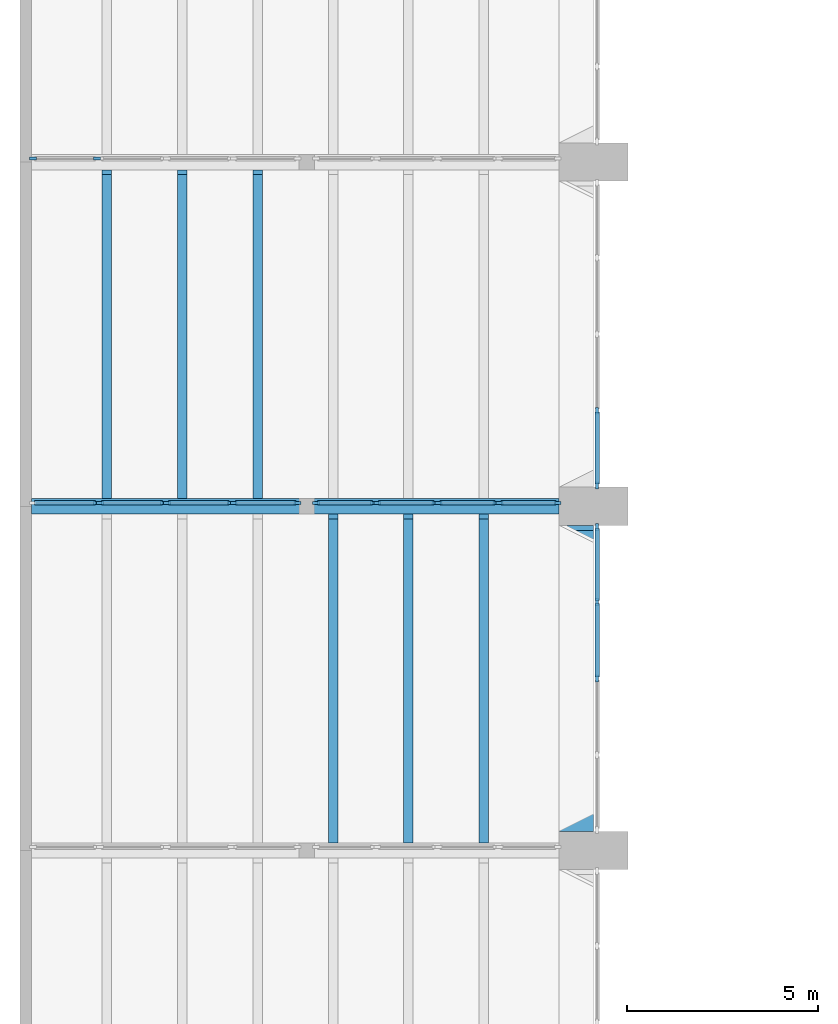
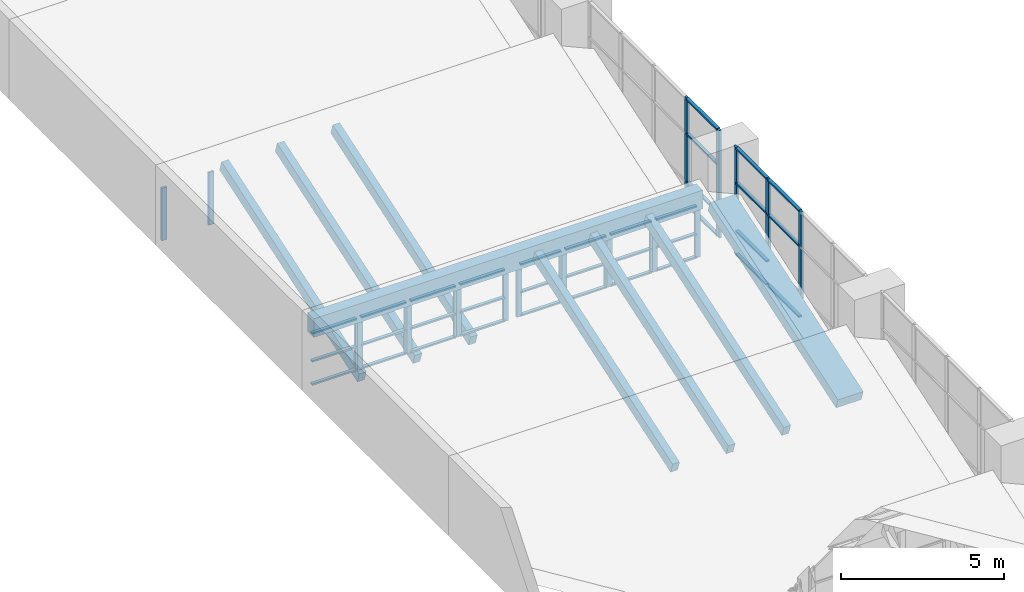
# One storey, part 9 of 43: 58 members, 8 beams, 11 elements without a shape of their own.
"""IFC4 building model written with IfcOpenShell, lengths in metres."""

from ifc_helpers import new_model, si_unit, direction, frame, origin, origin_2d, place, context, subcontext, project, spatial, rectangle, extrude, material, material_profile, profile_set, type_object, element, aggregate, save


model = new_model("IFC4")

# Units and contexts
model_context = context("Model", 3, precision=1e-05, world=origin(), true_north=direction((0.0, 1.0)))
body_context = subcontext(model_context, "Body", "Model", "MODEL_VIEW")
ifc_project = project(units=[si_unit("LENGTHUNIT", "METRE"), si_unit("AREAUNIT", "SQUARE_METRE"), si_unit("VOLUMEUNIT", "CUBIC_METRE"), si_unit("PLANEANGLEUNIT", "RADIAN"), si_unit("MASSUNIT", "GRAM", prefix="KILO")], contexts=[model_context])

# Site, building, storey
site_placement = place(None, origin())
site = spatial("IfcSite", under=ifc_project, at=site_placement, CompositionType="ELEMENT")
building_placement = place(site_placement, origin())
building = spatial("IfcBuilding", under=site, at=building_placement, Name="Elmora Arch Market Hall", CompositionType="ELEMENT")
storey_placement = place(building_placement, frame((0.0, 0.0, 10.199951171875)))
storey = spatial("IfcBuildingStorey", under=building, at=storey_placement, Name="L02", CompositionType="ELEMENT", Elevation=10.199951171875)

# Curtain wall, members
ifc_material_1 = material(Name="Aluminium", Category="aluminium")
curtain_wall_type_1 = type_object("IfcCurtainWallType", Name="Hall front curtain wall", PredefinedType="NOTDEFINED", material=ifc_material_1)
curtain_wall_1_placement = place(storey_placement, origin())
curtain_wall_1 = element("IfcCurtainWall", 1, at=curtain_wall_1_placement, inside=storey, type_object=curtain_wall_type_1, Name="Hall west glazing L02 4", PredefinedType="NOTDEFINED")
ifc_material_2 = material(Name="Aluminium", Category="aluminium")
ifc_material_profile_1 = material_profile(ifc_material_2, rectangle(XDim=0.080078125, YDim=0.179931640625, at=origin_2d()), Name="AL 80x180")
ifc_profile_set_1 = profile_set([ifc_material_profile_1], Name="Aluminium")
member_type_1 = type_object("IfcMemberType", Name="Mullion 80x180", PredefinedType="MULLION", material=ifc_profile_set_1)
member_1_placement = place(storey_placement, frame((15.090087890625, 58.5, 0.166748046875), z_axis=(0.0, 0.0, 1.0), x_axis=(-1.0, 0.0, 0.0)))
member_1 = element("IfcMember", 2, at=member_1_placement, type_object=member_type_1, Name="CW2 mullion 3", PredefinedType="MULLION", context=body_context, shape_type="SweptSolid", body=[
    extrude(rectangle(XDim=0.080078125, YDim=0.179931640625, at=origin_2d()), origin(), (0.0, 0.0, 1.0), 4.033203125),
])
member_2_placement = place(storey_placement, frame((15.090087890625, 60.5, 0.166748046875), z_axis=(0.0, 0.0, 1.0), x_axis=(-1.0, 0.0, 0.0)))
member_2 = element("IfcMember", 3, at=member_2_placement, type_object=member_type_1, Name="CW2 mullion 4", PredefinedType="MULLION", context=body_context, shape_type="SweptSolid", body=[
    extrude(rectangle(XDim=0.080078125, YDim=0.179931640625, at=origin_2d()), origin(), (0.0, 0.0, 1.0), 4.033203125),
])
member_3_placement = place(storey_placement, frame((15.090087890625, 62.4599609375, 0.166748046875), z_axis=(0.0, 0.0, 1.0), x_axis=(-1.0, 0.0, 0.0)))
member_3 = element("IfcMember", 4, at=member_3_placement, type_object=member_type_1, Name="CW2 mullion 5", PredefinedType="MULLION", context=body_context, shape_type="SweptSolid", body=[
    extrude(rectangle(XDim=0.080078125, YDim=0.179931640625, at=origin_2d()), origin(), (0.0, 0.0, 1.0), 4.033203125),
])

curtain_wall_2_placement = place(storey_placement, origin())
curtain_wall_2 = element("IfcCurtainWall", 5, at=curtain_wall_2_placement, inside=storey, type_object=curtain_wall_type_1, Name="Hall west glazing L02 5", PredefinedType="NOTDEFINED")
member_4_placement = place(storey_placement, frame((15.090087890625, 63.5400390625, 0.166748046875), z_axis=(0.0, 0.0, 1.0), x_axis=(-1.0, 0.0, 0.0)))
member_4 = element("IfcMember", 6, at=member_4_placement, type_object=member_type_1, Name="CW2 mullion 1", PredefinedType="MULLION", context=body_context, shape_type="SweptSolid", body=[
    extrude(rectangle(XDim=0.080078125, YDim=0.179931640625, at=origin_2d()), origin(), (0.0, 0.0, 1.0), 4.033203125),
])
member_5_placement = place(storey_placement, frame((15.090087890625, 65.5, 0.166748046875), z_axis=(0.0, 0.0, 1.0), x_axis=(-1.0, 0.0, 0.0)))
member_5 = element("IfcMember", 7, at=member_5_placement, type_object=member_type_1, Name="CW2 mullion 2", PredefinedType="MULLION", context=body_context, shape_type="SweptSolid", body=[
    extrude(rectangle(XDim=0.080078125, YDim=0.179931640625, at=origin_2d()), origin(), (0.0, 0.0, 1.0), 4.033203125),
])

# Curtain wall, member
ifc_material_3 = material(Name="Aluminium", Category="aluminium")
curtain_wall_type_2 = type_object("IfcCurtainWallType", Name="Sawtooth glazing curtain wall", PredefinedType="NOTDEFINED", material=ifc_material_3)
curtain_wall_3_placement = place(storey_placement, origin())
curtain_wall_3 = element("IfcCurtainWall", 8, at=curtain_wall_3_placement, inside=storey, type_object=curtain_wall_type_2, Name="Sawtooth riser 4 part 1.1", PredefinedType="NOTDEFINED")
member_6_placement = place(storey_placement, frame((2.010009765625, 63.090087890625, 0.030029296875), z_axis=(0.0, 0.0, 1.0), x_axis=(0.0, 1.0, 0.0)))
member_6 = element("IfcMember", 9, at=member_6_placement, type_object=member_type_1, Name="CW7 mullion 2", PredefinedType="MULLION", context=body_context, shape_type="SweptSolid", body=[
    extrude(rectangle(XDim=0.080078125, YDim=0.179931640625, at=origin_2d()), origin(), (0.0, 0.0, 1.0), 1.969970703125),
])

# Curtain wall, members
curtain_wall_4_placement = place(storey_placement, origin())
curtain_wall_4 = element("IfcCurtainWall", 10, at=curtain_wall_4_placement, inside=storey, type_object=curtain_wall_type_2, Name="Sawtooth riser 4 part 1.2", PredefinedType="NOTDEFINED")
member_7_placement = place(storey_placement, frame((2.090087890625, 63.090087890625, 0.030029296875), z_axis=(0.0, 0.0, 1.0), x_axis=(0.0, 1.0, 0.0)))
member_7 = element("IfcMember", 11, at=member_7_placement, type_object=member_type_1, Name="CW7 mullion 1", PredefinedType="MULLION", context=body_context, shape_type="SweptSolid", body=[
    extrude(rectangle(XDim=0.080078125, YDim=0.179931640625, at=origin_2d()), origin(), (0.0, 0.0, 1.0), 1.969970703125),
])
member_8_placement = place(storey_placement, frame((3.760009765625, 63.090087890625, 0.030029296875), z_axis=(0.0, 0.0, 1.0), x_axis=(0.0, 1.0, 0.0)))
member_8 = element("IfcMember", 12, at=member_8_placement, type_object=member_type_1, Name="CW7 mullion 2", PredefinedType="MULLION", context=body_context, shape_type="SweptSolid", body=[
    extrude(rectangle(XDim=0.080078125, YDim=0.179931640625, at=origin_2d()), origin(), (0.0, 0.0, 1.0), 1.969970703125),
])

curtain_wall_5_placement = place(storey_placement, origin())
curtain_wall_5 = element("IfcCurtainWall", 13, at=curtain_wall_5_placement, inside=storey, type_object=curtain_wall_type_2, Name="Sawtooth riser 4 part 1.3", PredefinedType="NOTDEFINED")
member_9_placement = place(storey_placement, frame((3.840087890625, 63.090087890625, 0.030029296875), z_axis=(0.0, 0.0, 1.0), x_axis=(0.0, 1.0, 0.0)))
member_9 = element("IfcMember", 14, at=member_9_placement, type_object=member_type_1, Name="CW7 mullion 1", PredefinedType="MULLION", context=body_context, shape_type="SweptSolid", body=[
    extrude(rectangle(XDim=0.080078125, YDim=0.179931640625, at=origin_2d()), origin(), (0.0, 0.0, 1.0), 1.969970703125),
])
member_10_placement = place(storey_placement, frame((5.510009765625, 63.090087890625, 0.030029296875), z_axis=(0.0, 0.0, 1.0), x_axis=(0.0, 1.0, 0.0)))
member_10 = element("IfcMember", 15, at=member_10_placement, type_object=member_type_1, Name="CW7 mullion 2", PredefinedType="MULLION", context=body_context, shape_type="SweptSolid", body=[
    extrude(rectangle(XDim=0.080078125, YDim=0.179931640625, at=origin_2d()), origin(), (0.0, 0.0, 1.0), 1.969970703125),
])

curtain_wall_6_placement = place(storey_placement, origin())
curtain_wall_6 = element("IfcCurtainWall", 16, at=curtain_wall_6_placement, inside=storey, type_object=curtain_wall_type_2, Name="Sawtooth riser 4 part 1.4", PredefinedType="NOTDEFINED")
member_11_placement = place(storey_placement, frame((5.590087890625, 63.090087890625, 0.030029296875), z_axis=(0.0, 0.0, 1.0), x_axis=(0.0, 1.0, 0.0)))
member_11 = element("IfcMember", 17, at=member_11_placement, type_object=member_type_1, Name="CW7 mullion 1", PredefinedType="MULLION", context=body_context, shape_type="SweptSolid", body=[
    extrude(rectangle(XDim=0.080078125, YDim=0.179931640625, at=origin_2d()), origin(), (0.0, 0.0, 1.0), 1.969970703125),
])
member_12_placement = place(storey_placement, frame((7.260009765625, 63.090087890625, 0.030029296875), z_axis=(0.0, 0.0, 1.0), x_axis=(0.0, 1.0, 0.0)))
member_12 = element("IfcMember", 18, at=member_12_placement, type_object=member_type_1, Name="CW7 mullion 2", PredefinedType="MULLION", context=body_context, shape_type="SweptSolid", body=[
    extrude(rectangle(XDim=0.080078125, YDim=0.179931640625, at=origin_2d()), origin(), (0.0, 0.0, 1.0), 1.969970703125),
])

curtain_wall_7_placement = place(storey_placement, origin())
curtain_wall_7 = element("IfcCurtainWall", 19, at=curtain_wall_7_placement, inside=storey, type_object=curtain_wall_type_2, Name="Sawtooth riser 4 part 2.1", PredefinedType="NOTDEFINED")
member_13_placement = place(storey_placement, frame((7.739990234375, 63.090087890625, 0.030029296875), z_axis=(0.0, 0.0, 1.0), x_axis=(0.0, 1.0, 0.0)))
member_13 = element("IfcMember", 20, at=member_13_placement, type_object=member_type_1, Name="CW7 mullion 1", PredefinedType="MULLION", context=body_context, shape_type="SweptSolid", body=[
    extrude(rectangle(XDim=0.080078125, YDim=0.179931640625, at=origin_2d()), origin(), (0.0, 0.0, 1.0), 1.969970703125),
])
member_14_placement = place(storey_placement, frame((9.260009765625, 63.090087890625, 0.030029296875), z_axis=(0.0, 0.0, 1.0), x_axis=(0.0, 1.0, 0.0)))
member_14 = element("IfcMember", 21, at=member_14_placement, type_object=member_type_1, Name="CW7 mullion 2", PredefinedType="MULLION", context=body_context, shape_type="SweptSolid", body=[
    extrude(rectangle(XDim=0.080078125, YDim=0.179931640625, at=origin_2d()), origin(), (0.0, 0.0, 1.0), 1.969970703125),
])

curtain_wall_8_placement = place(storey_placement, origin())
curtain_wall_8 = element("IfcCurtainWall", 22, at=curtain_wall_8_placement, inside=storey, type_object=curtain_wall_type_2, Name="Sawtooth riser 4 part 2.2", PredefinedType="NOTDEFINED")
member_15_placement = place(storey_placement, frame((9.340087890625, 63.090087890625, 0.030029296875), z_axis=(0.0, 0.0, 1.0), x_axis=(0.0, 1.0, 0.0)))
member_15 = element("IfcMember", 23, at=member_15_placement, type_object=member_type_1, Name="CW7 mullion 1", PredefinedType="MULLION", context=body_context, shape_type="SweptSolid", body=[
    extrude(rectangle(XDim=0.080078125, YDim=0.179931640625, at=origin_2d()), origin(), (0.0, 0.0, 1.0), 1.969970703125),
])
member_16_placement = place(storey_placement, frame((10.860107421875, 63.090087890625, 0.030029296875), z_axis=(0.0, 0.0, 1.0), x_axis=(0.0, 1.0, 0.0)))
member_16 = element("IfcMember", 24, at=member_16_placement, type_object=member_type_1, Name="CW7 mullion 2", PredefinedType="MULLION", context=body_context, shape_type="SweptSolid", body=[
    extrude(rectangle(XDim=0.080078125, YDim=0.179931640625, at=origin_2d()), origin(), (0.0, 0.0, 1.0), 1.969970703125),
])

curtain_wall_9_placement = place(storey_placement, origin())
curtain_wall_9 = element("IfcCurtainWall", 25, at=curtain_wall_9_placement, inside=storey, type_object=curtain_wall_type_2, Name="Sawtooth riser 4 part 2.3", PredefinedType="NOTDEFINED")
member_17_placement = place(storey_placement, frame((10.93994140625, 63.090087890625, 0.030029296875), z_axis=(0.0, 0.0, 1.0), x_axis=(0.0, 1.0, 0.0)))
member_17 = element("IfcMember", 26, at=member_17_placement, type_object=member_type_1, Name="CW7 mullion 1", PredefinedType="MULLION", context=body_context, shape_type="SweptSolid", body=[
    extrude(rectangle(XDim=0.080078125, YDim=0.179931640625, at=origin_2d()), origin(), (0.0, 0.0, 1.0), 1.969970703125),
])
member_18_placement = place(storey_placement, frame((12.4599609375, 63.090087890625, 0.030029296875), z_axis=(0.0, 0.0, 1.0), x_axis=(0.0, 1.0, 0.0)))
member_18 = element("IfcMember", 27, at=member_18_placement, type_object=member_type_1, Name="CW7 mullion 2", PredefinedType="MULLION", context=body_context, shape_type="SweptSolid", body=[
    extrude(rectangle(XDim=0.080078125, YDim=0.179931640625, at=origin_2d()), origin(), (0.0, 0.0, 1.0), 1.969970703125),
])

curtain_wall_10_placement = place(storey_placement, origin())
curtain_wall_10 = element("IfcCurtainWall", 28, at=curtain_wall_10_placement, inside=storey, type_object=curtain_wall_type_2, Name="Sawtooth riser 4 part 2.4", PredefinedType="NOTDEFINED")
member_19_placement = place(storey_placement, frame((12.5400390625, 63.090087890625, 0.030029296875), z_axis=(0.0, 0.0, 1.0), x_axis=(0.0, 1.0, 0.0)))
member_19 = element("IfcMember", 29, at=member_19_placement, type_object=member_type_1, Name="CW7 mullion 1", PredefinedType="MULLION", context=body_context, shape_type="SweptSolid", body=[
    extrude(rectangle(XDim=0.080078125, YDim=0.179931640625, at=origin_2d()), origin(), (0.0, 0.0, 1.0), 1.969970703125),
])
member_20_placement = place(storey_placement, frame((14.06005859375, 63.090087890625, 0.030029296875), z_axis=(0.0, 0.0, 1.0), x_axis=(0.0, 1.0, 0.0)))
member_20 = element("IfcMember", 30, at=member_20_placement, type_object=member_type_1, Name="CW7 mullion 2", PredefinedType="MULLION", context=body_context, shape_type="SweptSolid", body=[
    extrude(rectangle(XDim=0.080078125, YDim=0.179931640625, at=origin_2d()), origin(), (0.0, 0.0, 1.0), 1.969970703125),
])

curtain_wall_11_placement = place(storey_placement, origin())
curtain_wall_11 = element("IfcCurtainWall", 31, at=curtain_wall_11_placement, inside=storey, type_object=curtain_wall_type_2, Name="Sawtooth riser 5 part 1.1", PredefinedType="NOTDEFINED")
member_21_placement = place(storey_placement, frame((0.340087890625, 72.090087890625, 0.030029296875), z_axis=(0.0, 0.0, 1.0), x_axis=(0.0, 1.0, 0.0)))
member_21 = element("IfcMember", 32, at=member_21_placement, type_object=member_type_1, Name="CW7 mullion 1", PredefinedType="MULLION", context=body_context, shape_type="SweptSolid", body=[
    extrude(rectangle(XDim=0.080078125, YDim=0.179931640625, at=origin_2d()), origin(), (0.0, 0.0, 1.0), 1.969970703125),
])
member_22_placement = place(storey_placement, frame((2.010009765625, 72.090087890625, 0.030029296875), z_axis=(0.0, 0.0, 1.0), x_axis=(0.0, 1.0, 0.0)))
member_22 = element("IfcMember", 33, at=member_22_placement, type_object=member_type_1, Name="CW7 mullion 2", PredefinedType="MULLION", context=body_context, shape_type="SweptSolid", body=[
    extrude(rectangle(XDim=0.080078125, YDim=0.179931640625, at=origin_2d()), origin(), (0.0, 0.0, 1.0), 1.969970703125),
])
aggregate(curtain_wall_11, [member_21, member_22])

# Beams
ifc_material_4 = material(Name="Concrete C32/40", Category="concrete")
ifc_material_profile_2 = material_profile(ifc_material_4, rectangle(XDim=0.39990234375, YDim=0.699951171875, at=origin_2d()), Name="Ridge beam 400x700")
ifc_profile_set_2 = profile_set([ifc_material_profile_2], Name="Concrete C32/40")
beam_type_1 = type_object("IfcBeamType", Name="Ridge beam 400x700", PredefinedType="BEAM", material=ifc_profile_set_2)
beam_1_placement = place(storey_placement, frame((0.300048828125, 63.0, 2.35009765625), z_axis=(1.0, 0.0, 0.0), x_axis=(0.0, 1.0, 0.0)))
element("IfcBeam", 34, at=beam_1_placement, inside=storey, type_object=beam_type_1, Name="Ridge beam RB4 L02.1", PredefinedType="BEAM", context=body_context, shape_type="SweptSolid", body=[
    extrude(rectangle(XDim=0.39990234375, YDim=0.699951171875, at=origin_2d()), origin(), (0.0, 0.0, 1.0), 13.800048828125),
])
ifc_material_5 = material(Name="Concrete C32/40", Category="concrete")
ifc_material_profile_3 = material_profile(ifc_material_5, rectangle(XDim=0.89990234375, YDim=0.39990234375, at=origin_2d()), Name="Sawtooth edge beam 900x400")
ifc_profile_set_3 = profile_set([ifc_material_profile_3], Name="Concrete C32/40")
beam_type_2 = type_object("IfcBeamType", Name="Sawtooth edge beam 900x400", PredefinedType="BEAM", material=ifc_profile_set_3)
beam_2_placement = place(storey_placement, frame((14.550048828125, 54.563232421875, -0.322998046875), z_axis=(0.0, 0.948683298051, 0.316227766017), x_axis=(-1.0, 0.0, 0.0)))
element("IfcBeam", 35, at=beam_2_placement, inside=storey, type_object=beam_type_2, Name="Sawtooth edge beam 4", PredefinedType="BEAM", context=body_context, shape_type="SweptSolid", body=[
    extrude(rectangle(XDim=0.89990234375, YDim=0.39990234375, at=origin_2d()), origin(), (0.0, 0.0, 1.0), 8.29931640625),
])
ifc_material_6 = material(Name="Concrete C32/40", Category="concrete")
ifc_material_profile_4 = material_profile(ifc_material_6, rectangle(XDim=0.25, YDim=0.39990234375, at=origin_2d()), Name="Sawtooth rafter 250x400")
ifc_profile_set_4 = profile_set([ifc_material_profile_4], Name="Concrete C32/40")
beam_type_3 = type_object("IfcBeamType", Name="Sawtooth rafter 250x400", PredefinedType="BEAM", material=ifc_profile_set_4)
for number, where, z_axis, x_axis, name in (
    (36, (8.185791015625, 54.26318359375, -0.443115234375), (0.0, 0.94868603135, 0.316219565999), (-1.0, 0.0, 0.0), "Sawtooth rafter 4.4"),
    (37, (10.156982421875, 54.26318359375, -0.443115234375), (0.0, 0.94868603135, 0.316219565999), (-1.0, 0.0, 0.0), "Sawtooth rafter 4.5"),
    (38, (12.128662109375, 54.26318359375, -0.443115234375), (0.0, 0.94868603135, 0.316219565999), (-1.0, 0.0, 0.0), "Sawtooth rafter 4.6"),
    (39, (2.271484375, 63.26318359375, -0.443115234375), (0.0, 0.94868603135, 0.316219565999), (-1.0, 0.0, 0.0), "Sawtooth rafter 5.1"),
    (40, (4.242919921875, 63.26318359375, -0.443115234375), (0.0, 0.94868603135, 0.316219565999), (-1.0, 0.0, 0.0), "Sawtooth rafter 5.2"),
    (41, (6.21435546875, 63.26318359375, -0.443115234375), (0.0, 0.94868603135, 0.316219565999), (-1.0, 0.0, 0.0), "Sawtooth rafter 5.3"),
):
    element("IfcBeam", number, at=place(storey_placement, frame(where, z_axis=z_axis, x_axis=x_axis)), inside=storey, type_object=beam_type_3, Name=name, PredefinedType="BEAM", context=body_context, shape_type="SweptSolid", body=[
        extrude(rectangle(XDim=0.25, YDim=0.39990234375, at=origin_2d()), origin(), (0.0, 0.0, 1.0), 8.931884765625),
    ])

# Member
ifc_material_7 = material(Name="Aluminium", Category="aluminium")
ifc_material_profile_5 = material_profile(ifc_material_7, rectangle(XDim=0.1201171875, YDim=0.06005859375, at=origin_2d()), Name="AL 120x60")
ifc_profile_set_5 = profile_set([ifc_material_profile_5], Name="Aluminium")
member_type_2 = type_object("IfcMemberType", Name="Transom 120x60", PredefinedType="USERDEFINED", material=ifc_profile_set_5)
member_23_placement = place(storey_placement, frame((15.090087890625, 58.5400390625, 0.19677734375), z_axis=(0.0, 1.0, 0.0), x_axis=(-1.0, 0.0, 0.0)))
member_23 = element("IfcMember", 42, at=member_23_placement, type_object=member_type_2, Name="CW2 transom 3.1", ObjectType="TRANSOM", PredefinedType="USERDEFINED", context=body_context, shape_type="SweptSolid", body=[
    extrude(rectangle(XDim=0.1201171875, YDim=0.06005859375, at=origin_2d()), origin(), (0.0, 0.0, 1.0), 1.919921875),
])

member_24_placement = place(storey_placement, frame((15.090087890625, 58.5400390625, 1.066650390625), z_axis=(0.0, 1.0, 0.0), x_axis=(-1.0, 0.0, 0.0)))
member_24 = element("IfcMember", 43, at=member_24_placement, type_object=member_type_2, Name="CW2 transom 3.2", ObjectType="TRANSOM", PredefinedType="USERDEFINED", context=body_context, shape_type="SweptSolid", body=[
    extrude(rectangle(XDim=0.1201171875, YDim=0.06005859375, at=origin_2d()), origin(), (0.0, 0.0, 1.0), 1.919921875),
])

member_25_placement = place(storey_placement, frame((15.090087890625, 58.5400390625, 2.86669921875), z_axis=(0.0, 1.0, 0.0), x_axis=(-1.0, 0.0, 0.0)))
member_25 = element("IfcMember", 44, at=member_25_placement, type_object=member_type_2, Name="CW2 transom 3.3", ObjectType="TRANSOM", PredefinedType="USERDEFINED", context=body_context, shape_type="SweptSolid", body=[
    extrude(rectangle(XDim=0.1201171875, YDim=0.06005859375, at=origin_2d()), origin(), (0.0, 0.0, 1.0), 1.919921875),
])

member_26_placement = place(storey_placement, frame((15.090087890625, 58.5400390625, 4.170166015625), z_axis=(0.0, 1.0, 0.0), x_axis=(-1.0, 0.0, 0.0)))
member_26 = element("IfcMember", 45, at=member_26_placement, type_object=member_type_2, Name="CW2 transom 3.4", ObjectType="TRANSOM", PredefinedType="USERDEFINED", context=body_context, shape_type="SweptSolid", body=[
    extrude(rectangle(XDim=0.1201171875, YDim=0.06005859375, at=origin_2d()), origin(), (0.0, 0.0, 1.0), 1.919921875),
])

member_27_placement = place(storey_placement, frame((15.090087890625, 60.5400390625, 0.19677734375), z_axis=(0.0, 1.0, 0.0), x_axis=(-1.0, 0.0, 0.0)))
member_27 = element("IfcMember", 46, at=member_27_placement, type_object=member_type_2, Name="CW2 transom 4.1", ObjectType="TRANSOM", PredefinedType="USERDEFINED", context=body_context, shape_type="SweptSolid", body=[
    extrude(rectangle(XDim=0.1201171875, YDim=0.06005859375, at=origin_2d()), origin(), (0.0, 0.0, 1.0), 1.8798828125),
])

member_28_placement = place(storey_placement, frame((15.090087890625, 60.5400390625, 1.066650390625), z_axis=(0.0, 1.0, 0.0), x_axis=(-1.0, 0.0, 0.0)))
member_28 = element("IfcMember", 47, at=member_28_placement, type_object=member_type_2, Name="CW2 transom 4.2", ObjectType="TRANSOM", PredefinedType="USERDEFINED", context=body_context, shape_type="SweptSolid", body=[
    extrude(rectangle(XDim=0.1201171875, YDim=0.06005859375, at=origin_2d()), origin(), (0.0, 0.0, 1.0), 1.8798828125),
])

member_29_placement = place(storey_placement, frame((15.090087890625, 60.5400390625, 2.86669921875), z_axis=(0.0, 1.0, 0.0), x_axis=(-1.0, 0.0, 0.0)))
member_29 = element("IfcMember", 48, at=member_29_placement, type_object=member_type_2, Name="CW2 transom 4.3", ObjectType="TRANSOM", PredefinedType="USERDEFINED", context=body_context, shape_type="SweptSolid", body=[
    extrude(rectangle(XDim=0.1201171875, YDim=0.06005859375, at=origin_2d()), origin(), (0.0, 0.0, 1.0), 1.8798828125),
])

member_30_placement = place(storey_placement, frame((15.090087890625, 60.5400390625, 4.170166015625), z_axis=(0.0, 1.0, 0.0), x_axis=(-1.0, 0.0, 0.0)))
member_30 = element("IfcMember", 49, at=member_30_placement, type_object=member_type_2, Name="CW2 transom 4.4", ObjectType="TRANSOM", PredefinedType="USERDEFINED", context=body_context, shape_type="SweptSolid", body=[
    extrude(rectangle(XDim=0.1201171875, YDim=0.06005859375, at=origin_2d()), origin(), (0.0, 0.0, 1.0), 1.8798828125),
])

aggregate(curtain_wall_1, [member_1, member_2, member_3, member_23, member_24, member_25, member_26, member_27, member_28, member_29, member_30])

member_31_placement = place(storey_placement, frame((15.090087890625, 63.580078125, 0.19677734375), z_axis=(0.0, 1.0, 0.0), x_axis=(-1.0, 0.0, 0.0)))
member_31 = element("IfcMember", 50, at=member_31_placement, type_object=member_type_2, Name="CW2 transom 1.1", ObjectType="TRANSOM", PredefinedType="USERDEFINED", context=body_context, shape_type="SweptSolid", body=[
    extrude(rectangle(XDim=0.1201171875, YDim=0.06005859375, at=origin_2d()), origin(), (0.0, 0.0, 1.0), 1.8798828125),
])

member_32_placement = place(storey_placement, frame((15.090087890625, 63.580078125, 1.066650390625), z_axis=(0.0, 1.0, 0.0), x_axis=(-1.0, 0.0, 0.0)))
member_32 = element("IfcMember", 51, at=member_32_placement, type_object=member_type_2, Name="CW2 transom 1.2", ObjectType="TRANSOM", PredefinedType="USERDEFINED", context=body_context, shape_type="SweptSolid", body=[
    extrude(rectangle(XDim=0.1201171875, YDim=0.06005859375, at=origin_2d()), origin(), (0.0, 0.0, 1.0), 1.8798828125),
])

member_33_placement = place(storey_placement, frame((15.090087890625, 63.580078125, 2.86669921875), z_axis=(0.0, 1.0, 0.0), x_axis=(-1.0, 0.0, 0.0)))
member_33 = element("IfcMember", 52, at=member_33_placement, type_object=member_type_2, Name="CW2 transom 1.3", ObjectType="TRANSOM", PredefinedType="USERDEFINED", context=body_context, shape_type="SweptSolid", body=[
    extrude(rectangle(XDim=0.1201171875, YDim=0.06005859375, at=origin_2d()), origin(), (0.0, 0.0, 1.0), 1.8798828125),
])

member_34_placement = place(storey_placement, frame((15.090087890625, 63.580078125, 4.170166015625), z_axis=(0.0, 1.0, 0.0), x_axis=(-1.0, 0.0, 0.0)))
member_34 = element("IfcMember", 53, at=member_34_placement, type_object=member_type_2, Name="CW2 transom 1.4", ObjectType="TRANSOM", PredefinedType="USERDEFINED", context=body_context, shape_type="SweptSolid", body=[
    extrude(rectangle(XDim=0.1201171875, YDim=0.06005859375, at=origin_2d()), origin(), (0.0, 0.0, 1.0), 1.8798828125),
])

aggregate(curtain_wall_2, [member_4, member_5, member_31, member_32, member_33, member_34])

member_35_placement = place(storey_placement, frame((0.3798828125, 63.090087890625, 0.06005859375), z_axis=(1.0, 0.0, 0.0), x_axis=(0.0, 1.0, 0.0)))
member_35 = element("IfcMember", 54, at=member_35_placement, type_object=member_type_2, Name="CW7 transom 1.1", ObjectType="TRANSOM", PredefinedType="USERDEFINED", context=body_context, shape_type="SweptSolid", body=[
    extrude(rectangle(XDim=0.1201171875, YDim=0.06005859375, at=origin_2d()), origin(), (0.0, 0.0, 1.0), 1.590087890625),
])

member_36_placement = place(storey_placement, frame((0.3798828125, 63.090087890625, 0.929931640625), z_axis=(1.0, 0.0, 0.0), x_axis=(0.0, 1.0, 0.0)))
member_36 = element("IfcMember", 55, at=member_36_placement, type_object=member_type_2, Name="CW7 transom 1.2", ObjectType="TRANSOM", PredefinedType="USERDEFINED", context=body_context, shape_type="SweptSolid", body=[
    extrude(rectangle(XDim=0.1201171875, YDim=0.06005859375, at=origin_2d()), origin(), (0.0, 0.0, 1.0), 1.590087890625),
])

member_37_placement = place(storey_placement, frame((0.3798828125, 63.090087890625, 1.969970703125), z_axis=(1.0, 0.0, 0.0), x_axis=(0.0, 1.0, 0.0)))
member_37 = element("IfcMember", 56, at=member_37_placement, type_object=member_type_2, Name="CW7 transom 1.3", ObjectType="TRANSOM", PredefinedType="USERDEFINED", context=body_context, shape_type="SweptSolid", body=[
    extrude(rectangle(XDim=0.1201171875, YDim=0.06005859375, at=origin_2d()), origin(), (0.0, 0.0, 1.0), 1.590087890625),
])

aggregate(curtain_wall_3, [member_6, member_35, member_36, member_37])

member_38_placement = place(storey_placement, frame((2.1298828125, 63.090087890625, 0.06005859375), z_axis=(1.0, 0.0, 0.0), x_axis=(0.0, 1.0, 0.0)))
member_38 = element("IfcMember", 57, at=member_38_placement, type_object=member_type_2, Name="CW7 transom 1.1", ObjectType="TRANSOM", PredefinedType="USERDEFINED", context=body_context, shape_type="SweptSolid", body=[
    extrude(rectangle(XDim=0.1201171875, YDim=0.06005859375, at=origin_2d()), origin(), (0.0, 0.0, 1.0), 1.590087890625),
])

member_39_placement = place(storey_placement, frame((2.1298828125, 63.090087890625, 0.929931640625), z_axis=(1.0, 0.0, 0.0), x_axis=(0.0, 1.0, 0.0)))
member_39 = element("IfcMember", 58, at=member_39_placement, type_object=member_type_2, Name="CW7 transom 1.2", ObjectType="TRANSOM", PredefinedType="USERDEFINED", context=body_context, shape_type="SweptSolid", body=[
    extrude(rectangle(XDim=0.1201171875, YDim=0.06005859375, at=origin_2d()), origin(), (0.0, 0.0, 1.0), 1.590087890625),
])

member_40_placement = place(storey_placement, frame((2.1298828125, 63.090087890625, 1.969970703125), z_axis=(1.0, 0.0, 0.0), x_axis=(0.0, 1.0, 0.0)))
member_40 = element("IfcMember", 59, at=member_40_placement, type_object=member_type_2, Name="CW7 transom 1.3", ObjectType="TRANSOM", PredefinedType="USERDEFINED", context=body_context, shape_type="SweptSolid", body=[
    extrude(rectangle(XDim=0.1201171875, YDim=0.06005859375, at=origin_2d()), origin(), (0.0, 0.0, 1.0), 1.590087890625),
])

aggregate(curtain_wall_4, [member_7, member_8, member_38, member_39, member_40])

member_41_placement = place(storey_placement, frame((3.8798828125, 63.090087890625, 0.06005859375), z_axis=(1.0, 0.0, 0.0), x_axis=(0.0, 1.0, 0.0)))
member_41 = element("IfcMember", 60, at=member_41_placement, type_object=member_type_2, Name="CW7 transom 1.1", ObjectType="TRANSOM", PredefinedType="USERDEFINED", context=body_context, shape_type="SweptSolid", body=[
    extrude(rectangle(XDim=0.1201171875, YDim=0.06005859375, at=origin_2d()), origin(), (0.0, 0.0, 1.0), 1.590087890625),
])

member_42_placement = place(storey_placement, frame((3.8798828125, 63.090087890625, 0.929931640625), z_axis=(1.0, 0.0, 0.0), x_axis=(0.0, 1.0, 0.0)))
member_42 = element("IfcMember", 61, at=member_42_placement, type_object=member_type_2, Name="CW7 transom 1.2", ObjectType="TRANSOM", PredefinedType="USERDEFINED", context=body_context, shape_type="SweptSolid", body=[
    extrude(rectangle(XDim=0.1201171875, YDim=0.06005859375, at=origin_2d()), origin(), (0.0, 0.0, 1.0), 1.590087890625),
])

member_43_placement = place(storey_placement, frame((3.8798828125, 63.090087890625, 1.969970703125), z_axis=(1.0, 0.0, 0.0), x_axis=(0.0, 1.0, 0.0)))
member_43 = element("IfcMember", 62, at=member_43_placement, type_object=member_type_2, Name="CW7 transom 1.3", ObjectType="TRANSOM", PredefinedType="USERDEFINED", context=body_context, shape_type="SweptSolid", body=[
    extrude(rectangle(XDim=0.1201171875, YDim=0.06005859375, at=origin_2d()), origin(), (0.0, 0.0, 1.0), 1.590087890625),
])

aggregate(curtain_wall_5, [member_9, member_10, member_41, member_42, member_43])

member_44_placement = place(storey_placement, frame((5.6298828125, 63.090087890625, 0.06005859375), z_axis=(1.0, 0.0, 0.0), x_axis=(0.0, 1.0, 0.0)))
member_44 = element("IfcMember", 63, at=member_44_placement, type_object=member_type_2, Name="CW7 transom 1.1", ObjectType="TRANSOM", PredefinedType="USERDEFINED", context=body_context, shape_type="SweptSolid", body=[
    extrude(rectangle(XDim=0.1201171875, YDim=0.06005859375, at=origin_2d()), origin(), (0.0, 0.0, 1.0), 1.590087890625),
])

member_45_placement = place(storey_placement, frame((5.6298828125, 63.090087890625, 0.929931640625), z_axis=(1.0, 0.0, 0.0), x_axis=(0.0, 1.0, 0.0)))
member_45 = element("IfcMember", 64, at=member_45_placement, type_object=member_type_2, Name="CW7 transom 1.2", ObjectType="TRANSOM", PredefinedType="USERDEFINED", context=body_context, shape_type="SweptSolid", body=[
    extrude(rectangle(XDim=0.1201171875, YDim=0.06005859375, at=origin_2d()), origin(), (0.0, 0.0, 1.0), 1.590087890625),
])

member_46_placement = place(storey_placement, frame((5.6298828125, 63.090087890625, 1.969970703125), z_axis=(1.0, 0.0, 0.0), x_axis=(0.0, 1.0, 0.0)))
member_46 = element("IfcMember", 65, at=member_46_placement, type_object=member_type_2, Name="CW7 transom 1.3", ObjectType="TRANSOM", PredefinedType="USERDEFINED", context=body_context, shape_type="SweptSolid", body=[
    extrude(rectangle(XDim=0.1201171875, YDim=0.06005859375, at=origin_2d()), origin(), (0.0, 0.0, 1.0), 1.590087890625),
])

aggregate(curtain_wall_6, [member_11, member_12, member_44, member_45, member_46])

member_47_placement = place(storey_placement, frame((7.780029296875, 63.090087890625, 0.06005859375), z_axis=(1.0, 0.0, 0.0), x_axis=(0.0, 1.0, 0.0)))
member_47 = element("IfcMember", 66, at=member_47_placement, type_object=member_type_2, Name="CW7 transom 1.1", ObjectType="TRANSOM", PredefinedType="USERDEFINED", context=body_context, shape_type="SweptSolid", body=[
    extrude(rectangle(XDim=0.1201171875, YDim=0.06005859375, at=origin_2d()), origin(), (0.0, 0.0, 1.0), 1.43994140625),
])

member_48_placement = place(storey_placement, frame((7.780029296875, 63.090087890625, 0.929931640625), z_axis=(1.0, 0.0, 0.0), x_axis=(0.0, 1.0, 0.0)))
member_48 = element("IfcMember", 67, at=member_48_placement, type_object=member_type_2, Name="CW7 transom 1.2", ObjectType="TRANSOM", PredefinedType="USERDEFINED", context=body_context, shape_type="SweptSolid", body=[
    extrude(rectangle(XDim=0.1201171875, YDim=0.06005859375, at=origin_2d()), origin(), (0.0, 0.0, 1.0), 1.43994140625),
])

member_49_placement = place(storey_placement, frame((7.780029296875, 63.090087890625, 1.969970703125), z_axis=(1.0, 0.0, 0.0), x_axis=(0.0, 1.0, 0.0)))
member_49 = element("IfcMember", 68, at=member_49_placement, type_object=member_type_2, Name="CW7 transom 1.3", ObjectType="TRANSOM", PredefinedType="USERDEFINED", context=body_context, shape_type="SweptSolid", body=[
    extrude(rectangle(XDim=0.1201171875, YDim=0.06005859375, at=origin_2d()), origin(), (0.0, 0.0, 1.0), 1.43994140625),
])

aggregate(curtain_wall_7, [member_13, member_14, member_47, member_48, member_49])

member_50_placement = place(storey_placement, frame((9.3798828125, 63.090087890625, 0.06005859375), z_axis=(1.0, 0.0, 0.0), x_axis=(0.0, 1.0, 0.0)))
member_50 = element("IfcMember", 69, at=member_50_placement, type_object=member_type_2, Name="CW7 transom 1.1", ObjectType="TRANSOM", PredefinedType="USERDEFINED", context=body_context, shape_type="SweptSolid", body=[
    extrude(rectangle(XDim=0.1201171875, YDim=0.06005859375, at=origin_2d()), origin(), (0.0, 0.0, 1.0), 1.440185546875),
])

member_51_placement = place(storey_placement, frame((9.3798828125, 63.090087890625, 0.929931640625), z_axis=(1.0, 0.0, 0.0), x_axis=(0.0, 1.0, 0.0)))
member_51 = element("IfcMember", 70, at=member_51_placement, type_object=member_type_2, Name="CW7 transom 1.2", ObjectType="TRANSOM", PredefinedType="USERDEFINED", context=body_context, shape_type="SweptSolid", body=[
    extrude(rectangle(XDim=0.1201171875, YDim=0.06005859375, at=origin_2d()), origin(), (0.0, 0.0, 1.0), 1.440185546875),
])

member_52_placement = place(storey_placement, frame((9.3798828125, 63.090087890625, 1.969970703125), z_axis=(1.0, 0.0, 0.0), x_axis=(0.0, 1.0, 0.0)))
member_52 = element("IfcMember", 71, at=member_52_placement, type_object=member_type_2, Name="CW7 transom 1.3", ObjectType="TRANSOM", PredefinedType="USERDEFINED", context=body_context, shape_type="SweptSolid", body=[
    extrude(rectangle(XDim=0.1201171875, YDim=0.06005859375, at=origin_2d()), origin(), (0.0, 0.0, 1.0), 1.440185546875),
])

aggregate(curtain_wall_8, [member_15, member_16, member_50, member_51, member_52])

member_53_placement = place(storey_placement, frame((10.97998046875, 63.090087890625, 0.06005859375), z_axis=(1.0, 0.0, 0.0), x_axis=(0.0, 1.0, 0.0)))
member_53 = element("IfcMember", 72, at=member_53_placement, type_object=member_type_2, Name="CW7 transom 1.1", ObjectType="TRANSOM", PredefinedType="USERDEFINED", context=body_context, shape_type="SweptSolid", body=[
    extrude(rectangle(XDim=0.1201171875, YDim=0.06005859375, at=origin_2d()), origin(), (0.0, 0.0, 1.0), 1.43994140625),
])

member_54_placement = place(storey_placement, frame((10.97998046875, 63.090087890625, 0.929931640625), z_axis=(1.0, 0.0, 0.0), x_axis=(0.0, 1.0, 0.0)))
member_54 = element("IfcMember", 73, at=member_54_placement, type_object=member_type_2, Name="CW7 transom 1.2", ObjectType="TRANSOM", PredefinedType="USERDEFINED", context=body_context, shape_type="SweptSolid", body=[
    extrude(rectangle(XDim=0.1201171875, YDim=0.06005859375, at=origin_2d()), origin(), (0.0, 0.0, 1.0), 1.43994140625),
])

member_55_placement = place(storey_placement, frame((10.97998046875, 63.090087890625, 1.969970703125), z_axis=(1.0, 0.0, 0.0), x_axis=(0.0, 1.0, 0.0)))
member_55 = element("IfcMember", 74, at=member_55_placement, type_object=member_type_2, Name="CW7 transom 1.3", ObjectType="TRANSOM", PredefinedType="USERDEFINED", context=body_context, shape_type="SweptSolid", body=[
    extrude(rectangle(XDim=0.1201171875, YDim=0.06005859375, at=origin_2d()), origin(), (0.0, 0.0, 1.0), 1.43994140625),
])

aggregate(curtain_wall_9, [member_17, member_18, member_53, member_54, member_55])

member_56_placement = place(storey_placement, frame((12.580078125, 63.090087890625, 0.06005859375), z_axis=(1.0, 0.0, 0.0), x_axis=(0.0, 1.0, 0.0)))
member_56 = element("IfcMember", 75, at=member_56_placement, type_object=member_type_2, Name="CW7 transom 1.1", ObjectType="TRANSOM", PredefinedType="USERDEFINED", context=body_context, shape_type="SweptSolid", body=[
    extrude(rectangle(XDim=0.1201171875, YDim=0.06005859375, at=origin_2d()), origin(), (0.0, 0.0, 1.0), 1.43994140625),
])

member_57_placement = place(storey_placement, frame((12.580078125, 63.090087890625, 0.929931640625), z_axis=(1.0, 0.0, 0.0), x_axis=(0.0, 1.0, 0.0)))
member_57 = element("IfcMember", 76, at=member_57_placement, type_object=member_type_2, Name="CW7 transom 1.2", ObjectType="TRANSOM", PredefinedType="USERDEFINED", context=body_context, shape_type="SweptSolid", body=[
    extrude(rectangle(XDim=0.1201171875, YDim=0.06005859375, at=origin_2d()), origin(), (0.0, 0.0, 1.0), 1.43994140625),
])

member_58_placement = place(storey_placement, frame((12.580078125, 63.090087890625, 1.969970703125), z_axis=(1.0, 0.0, 0.0), x_axis=(0.0, 1.0, 0.0)))
member_58 = element("IfcMember", 77, at=member_58_placement, type_object=member_type_2, Name="CW7 transom 1.3", ObjectType="TRANSOM", PredefinedType="USERDEFINED", context=body_context, shape_type="SweptSolid", body=[
    extrude(rectangle(XDim=0.1201171875, YDim=0.06005859375, at=origin_2d()), origin(), (0.0, 0.0, 1.0), 1.43994140625),
])

aggregate(curtain_wall_10, [member_19, member_20, member_56, member_57, member_58])

save(model, "model.ifc")
